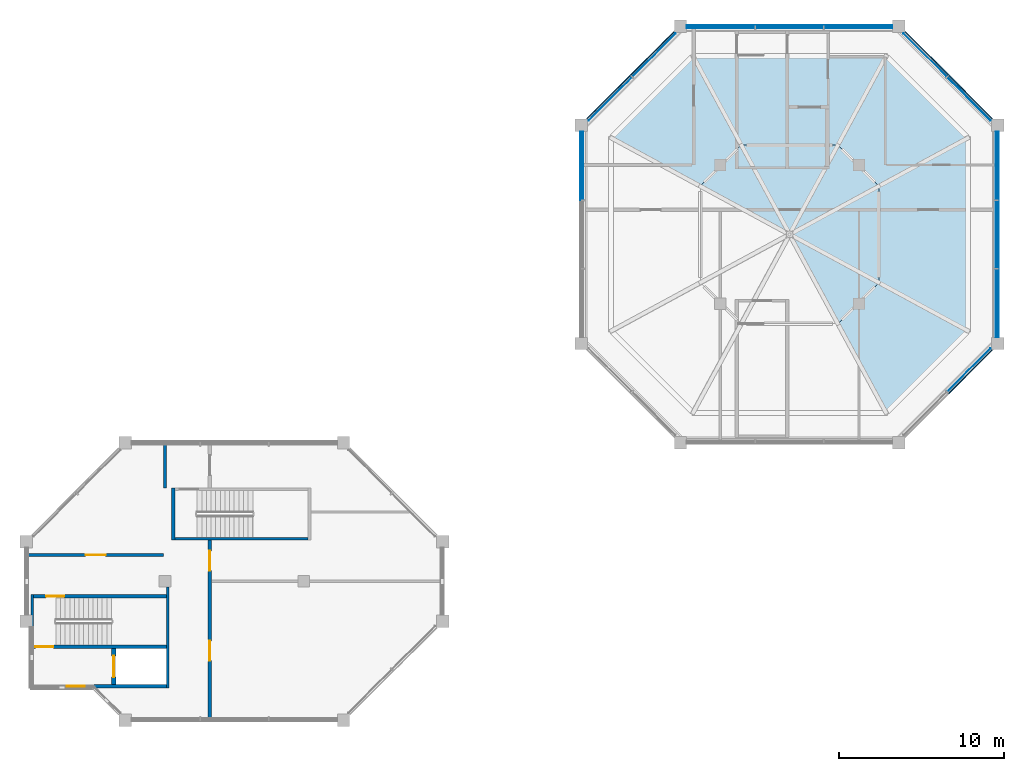
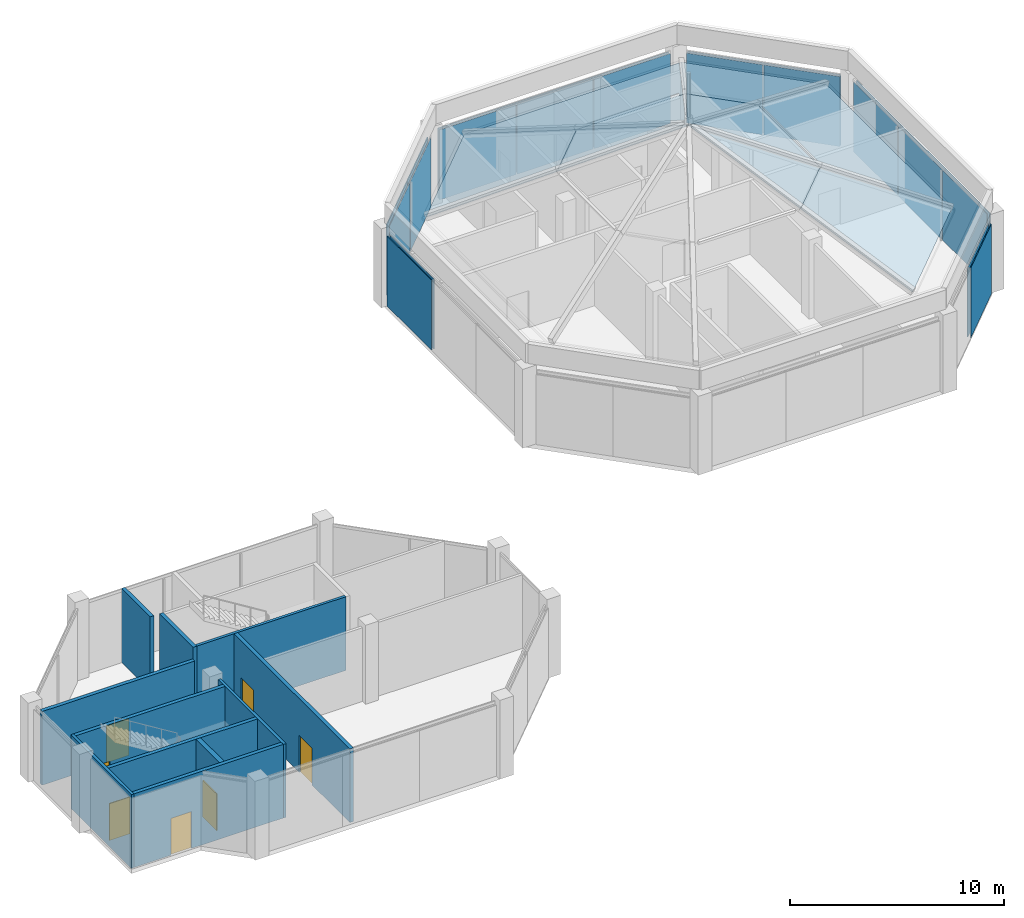
# One storey, part 5 of 9: 34 plates, 11 walls, 7 doors, 7 openings, 6 elements without a shape of their own.
"""IFC4 building model written with IfcOpenShell, lengths in metres."""

from ifc_helpers import new_model, si_unit, direction, frame, frame_2d, origin, origin_2d, place, context, subcontext, project, spatial, polyline, rectangle, outline, extrude, material, layer, layer_set, type_object, element, fill, aggregate, save


model = new_model("IFC4")

# Units and contexts
model_context = context("Model", 3, precision=1e-05, world=origin(), true_north=direction((0.0, 1.0)))
body_context = subcontext(model_context, "Body", "Model", "MODEL_VIEW")
ifc_project = project(units=[si_unit("LENGTHUNIT", "METRE"), si_unit("AREAUNIT", "SQUARE_METRE"), si_unit("VOLUMEUNIT", "CUBIC_METRE"), si_unit("PLANEANGLEUNIT", "RADIAN"), si_unit("MASSUNIT", "GRAM", prefix="KILO")], contexts=[model_context])

# Site, building, storey
site_placement = place(None, origin())
site = spatial("IfcSite", under=ifc_project, at=site_placement, CompositionType="ELEMENT")
building_placement = place(site_placement, origin())
building = spatial("IfcBuilding", under=site, at=building_placement, Name="Kawkab Arch Medical Tower", CompositionType="ELEMENT")
storey_placement = place(building_placement, frame((0.0, 0.0, 350.199951171875)))
storey = spatial("IfcBuildingStorey", under=building, at=storey_placement, Name="L81", CompositionType="ELEMENT", Elevation=350.199951171875)

# Curtain wall, plates
ifc_material_1 = material(Name="Bronze anodised aluminium curtain wall frame", Category="aluminium")
ifc_layer_1 = layer(ifc_material_1, 0.159912109375)
ifc_layer_set_1 = layer_set([ifc_layer_1], Name="Bronze anodised aluminium curtain wall frame")
curtain_wall_type = type_object("IfcCurtainWallType", Name="CW6 helipad lobby and crown glazing", PredefinedType="NOTDEFINED", material=ifc_layer_set_1)
placement = place(storey_placement, origin())
curtain_wall_1 = element("IfcCurtainWall", 1, at=placement, inside=storey, type_object=curtain_wall_type, Name="CW6 Helipad lobby and crown glazing R01", PredefinedType="NOTDEFINED")
ifc_material_2 = material(Name="Tinted laminated insulating glass, low iron", Category="glass")
ifc_layer_2 = layer(ifc_material_2, 0.0400390625)
ifc_layer_set_2 = layer_set([ifc_layer_2], Name="Tinted laminated insulating glass, low iron")
plate_type_1 = type_object("IfcPlateType", Name="CW6 glazing unit 40", PredefinedType="CURTAIN_PANEL", material=ifc_layer_set_2)
plate_1_placement = place(storey_placement, frame((57.05419921875, -4.3955078125, 0.0), z_axis=(0.0, 0.0, 1.0), x_axis=(-0.707106781187, 0.707106781187, 0.0)))
plate_1 = element("IfcPlate", 2, at=plate_1_placement, type_object=plate_type_1, Name="CW6 glazing unit 1.1", PredefinedType="CURTAIN_PANEL", context=body_context, shape_type="SweptSolid", body=[
    extrude(rectangle(XDim=3.67724609375, YDim=0.0400390625, at=origin_2d()), origin(), (0.0, 0.0, 1.0), 3.989990234375),
])
plate_2_placement = place(storey_placement, frame((54.404296875, -1.745849609375, 0.0), z_axis=(0.0, 0.0, 1.0), x_axis=(-0.707106781187, 0.707106781187, 0.0)))
plate_2 = element("IfcPlate", 3, at=plate_2_placement, type_object=plate_type_1, Name="CW6 glazing unit 1.2", PredefinedType="CURTAIN_PANEL", context=body_context, shape_type="SweptSolid", body=[
    extrude(rectangle(XDim=3.67724609375, YDim=0.0400390625, at=origin_2d()), origin(), (0.0, 0.0, 1.0), 3.989990234375),
])
aggregate(curtain_wall_1, [plate_1, plate_2])

curtain_wall_2 = element("IfcCurtainWall", 4, at=placement, inside=storey, type_object=curtain_wall_type, Name="CW6 Helipad lobby and crown glazing R02", PredefinedType="NOTDEFINED")
plate_3_placement = place(storey_placement, frame((50.367431640625, -0.10009765625, 0.0), z_axis=(0.0, 0.0, 1.0), x_axis=(-1.0, 0.0, 0.0)))
plate_3 = element("IfcPlate", 5, at=plate_3_placement, type_object=plate_type_1, Name="CW6 glazing unit 1.1", PredefinedType="CURTAIN_PANEL", context=body_context, shape_type="SweptSolid", body=[
    extrude(rectangle(XDim=4.114990234375, YDim=0.0400390625, at=origin_2d()), origin(), (0.0, 0.0, 1.0), 3.989990234375),
])
plate_4_placement = place(storey_placement, frame((46.199951171875, -0.10009765625, 0.0), z_axis=(0.0, 0.0, 1.0), x_axis=(-1.0, 0.0, 0.0)))
plate_4 = element("IfcPlate", 6, at=plate_4_placement, type_object=plate_type_1, Name="CW6 glazing unit 1.2", PredefinedType="CURTAIN_PANEL", context=body_context, shape_type="SweptSolid", body=[
    extrude(rectangle(XDim=4.080078125, YDim=0.0400390625, at=origin_2d()), origin(), (0.0, 0.0, 1.0), 3.989990234375),
])
plate_5_placement = place(storey_placement, frame((42.032470703125, -0.10009765625, 0.0), z_axis=(0.0, 0.0, 1.0), x_axis=(-1.0, 0.0, 0.0)))
plate_5 = element("IfcPlate", 7, at=plate_5_placement, type_object=plate_type_1, Name="CW6 glazing unit 1.3", PredefinedType="CURTAIN_PANEL", context=body_context, shape_type="SweptSolid", body=[
    extrude(rectangle(XDim=4.114990234375, YDim=0.0400390625, at=origin_2d()), origin(), (0.0, 0.0, 1.0), 3.989990234375),
])
aggregate(curtain_wall_2, [plate_3, plate_4, plate_5])

curtain_wall_3 = element("IfcCurtainWall", 8, at=placement, inside=storey, type_object=curtain_wall_type, Name="CW6 Helipad lobby and crown glazing R03", PredefinedType="NOTDEFINED")
plate_6_placement = place(storey_placement, frame((37.99560546875, -1.745849609375, 0.0), z_axis=(0.0, 0.0, 1.0), x_axis=(-0.707106781187, -0.707106781187, 0.0)))
plate_6 = element("IfcPlate", 9, at=plate_6_placement, type_object=plate_type_1, Name="CW6 glazing unit 1.1", PredefinedType="CURTAIN_PANEL", context=body_context, shape_type="SweptSolid", body=[
    extrude(rectangle(XDim=3.67724609375, YDim=0.0400390625, at=origin_2d()), origin(), (0.0, 0.0, 1.0), 3.989990234375),
])
plate_7_placement = place(storey_placement, frame((35.345703125, -4.3955078125, 0.0), z_axis=(0.0, 0.0, 1.0), x_axis=(-0.707106781187, -0.707106781187, 0.0)))
plate_7 = element("IfcPlate", 10, at=plate_7_placement, type_object=plate_type_1, Name="CW6 glazing unit 1.2", PredefinedType="CURTAIN_PANEL", context=body_context, shape_type="SweptSolid", body=[
    extrude(rectangle(XDim=3.67724609375, YDim=0.0400390625, at=origin_2d()), origin(), (0.0, 0.0, 1.0), 3.989990234375),
])
aggregate(curtain_wall_3, [plate_6, plate_7])

# Curtain wall, plate
curtain_wall_4 = element("IfcCurtainWall", 11, at=placement, inside=storey, type_object=curtain_wall_type, Name="CW6 Helipad lobby and crown glazing R04", PredefinedType="NOTDEFINED")
plate_8_placement = place(storey_placement, frame((33.699951171875, -8.4326171875, 0.0), z_axis=(0.0, 0.0, 1.0), x_axis=(0.0, -1.0, 0.0)))
plate_8 = element("IfcPlate", 12, at=plate_8_placement, type_object=plate_type_1, Name="CW6 glazing unit 1.1", PredefinedType="CURTAIN_PANEL", context=body_context, shape_type="SweptSolid", body=[
    extrude(rectangle(XDim=4.114990234375, YDim=0.0400390625, at=origin_2d()), origin(), (0.0, 0.0, 1.0), 3.989990234375),
])
aggregate(curtain_wall_4, [plate_8])

curtain_wall_5 = element("IfcCurtainWall", 13, at=placement, inside=storey, type_object=curtain_wall_type, Name="CW6 Helipad lobby and crown glazing R07", PredefinedType="NOTDEFINED")
plate_9_placement = place(storey_placement, frame((57.05419921875, -20.804443359375, 0.0), z_axis=(0.0, 0.0, 1.0), x_axis=(0.707106781187, 0.707106781187, 0.0)))
plate_9 = element("IfcPlate", 14, at=plate_9_placement, type_object=plate_type_1, Name="CW6 glazing unit 1.2", PredefinedType="CURTAIN_PANEL", context=body_context, shape_type="SweptSolid", body=[
    extrude(rectangle(XDim=3.67724609375, YDim=0.0400390625, at=origin_2d()), origin(), (0.0, 0.0, 1.0), 3.989990234375),
])
aggregate(curtain_wall_5, [plate_9])

# Curtain wall, plates
curtain_wall_6 = element("IfcCurtainWall", 15, at=placement, inside=storey, type_object=curtain_wall_type, Name="CW6 Helipad lobby and crown glazing R08", PredefinedType="NOTDEFINED")
plate_10_placement = place(storey_placement, frame((58.699951171875, -16.767578125, 0.0), z_axis=(0.0, 0.0, 1.0), x_axis=(0.0, 1.0, 0.0)))
plate_10 = element("IfcPlate", 16, at=plate_10_placement, type_object=plate_type_1, Name="CW6 glazing unit 1.1", PredefinedType="CURTAIN_PANEL", context=body_context, shape_type="SweptSolid", body=[
    extrude(rectangle(XDim=4.114990234375, YDim=0.0400390625, at=origin_2d()), origin(), (0.0, 0.0, 1.0), 3.989990234375),
])
plate_11_placement = place(storey_placement, frame((58.699951171875, -12.60009765625, 0.0), z_axis=(0.0, 0.0, 1.0), x_axis=(0.0, 1.0, 0.0)))
plate_11 = element("IfcPlate", 17, at=plate_11_placement, type_object=plate_type_1, Name="CW6 glazing unit 1.2", PredefinedType="CURTAIN_PANEL", context=body_context, shape_type="SweptSolid", body=[
    extrude(rectangle(XDim=4.080078125, YDim=0.0400390625, at=origin_2d()), origin(), (0.0, 0.0, 1.0), 3.989990234375),
])
plate_12_placement = place(storey_placement, frame((58.699951171875, -8.4326171875, 0.0), z_axis=(0.0, 0.0, 1.0), x_axis=(0.0, 1.0, 0.0)))
plate_12 = element("IfcPlate", 18, at=plate_12_placement, type_object=plate_type_1, Name="CW6 glazing unit 1.3", PredefinedType="CURTAIN_PANEL", context=body_context, shape_type="SweptSolid", body=[
    extrude(rectangle(XDim=4.114990234375, YDim=0.0400390625, at=origin_2d()), origin(), (0.0, 0.0, 1.0), 3.989990234375),
])
aggregate(curtain_wall_6, [plate_10, plate_11, plate_12])

# Plates
ifc_material_3 = material(Name="Laminated tinted glass", Category="glass")
ifc_layer_3 = layer(ifc_material_3, 0.031982421875)
ifc_layer_set_3 = layer_set([ifc_layer_3], Name="Laminated tinted glass")
plate_type_2 = type_object("IfcPlateType", Name="Crown glazing panel 32", PredefinedType="USERDEFINED", material=ifc_layer_set_3)
plate_13_placement = place(storey_placement, frame((52.054443359375, -23.39990234375, 4.650146484375), z_axis=(0.276346189666, -0.276346189666, 0.920470296595), x_axis=(0.707106781187, 0.707106781187, 0.0)))
element("IfcPlate", 19, at=plate_13_placement, inside=storey, type_object=plate_type_2, Name="Crown glazing, peak A face 2 row 1 bay 1", ObjectType="CROWN GLAZING", PredefinedType="USERDEFINED", context=body_context, shape_type="SweptSolid", body=[
    extrude(outline(polyline([(0.0, 0.0), (6.994073274656198, 0.0), (5.2456412727379, 6.3969289936718345), (1.7484320019182995, 6.396928993671834), (0.0, 0.0)])), origin(), (0.0, 0.0, -1.0), 0.031982421875),
])
plate_14_placement = place(storey_placement, frame((57.0, -18.454345703125, 4.650146484375), z_axis=(0.420129824888, 0.0, 0.907464010437), x_axis=(0.0, 1.0, 0.0)))
element("IfcPlate", 20, at=plate_14_placement, inside=storey, type_object=plate_type_2, Name="Crown glazing, peak A face 3 row 1 bay 1", ObjectType="CROWN GLAZING", PredefinedType="USERDEFINED", context=body_context, shape_type="SweptSolid", body=[
    extrude(outline(polyline([(0.0, 0.0), (11.708740234375, 0.0), (8.781494140625, 5.950541599051026), (2.92724609375, 5.950541599051026), (0.0, 0.0)])), origin(), (0.0, 0.0, -1.0), 0.031982421875),
])
plate_15_placement = place(storey_placement, frame((57.0, -6.74560546875, 4.650146484375), z_axis=(0.276346189666, 0.276346189666, 0.920470296595), x_axis=(-0.707106781187, 0.707106781187, 0.0)))
element("IfcPlate", 21, at=plate_15_placement, inside=storey, type_object=plate_type_2, Name="Crown glazing, peak A face 4 row 1 bay 1", ObjectType="CROWN GLAZING", PredefinedType="USERDEFINED", context=body_context, shape_type="SweptSolid", body=[
    extrude(outline(polyline([(0.0, 0.0), (6.994073274656198, 0.0), (5.2456412727379, 6.3969289936718345), (1.7484320019182995, 6.396928993671834), (0.0, 0.0)])), origin(), (0.0, 0.0, -1.0), 0.031982421875),
])
plate_16_placement = place(storey_placement, frame((52.054443359375, -1.800048828125, 4.650146484375), z_axis=(0.0, 0.420129824888, 0.907464010437), x_axis=(-1.0, 0.0, 0.0)))
element("IfcPlate", 22, at=plate_16_placement, inside=storey, type_object=plate_type_2, Name="Crown glazing, peak A face 5 row 1 bay 1", ObjectType="CROWN GLAZING", PredefinedType="USERDEFINED", context=body_context, shape_type="SweptSolid", body=[
    extrude(outline(polyline([(0.0, 0.0), (11.708740234375, 0.0), (8.78173828125, 5.950541599051026), (2.92724609375, 5.950541599051026), (0.0, 0.0)])), origin(), (0.0, 0.0, -1.0), 0.031982421875),
])
plate_17_placement = place(storey_placement, frame((40.345703125, -1.800048828125, 4.650146484375), z_axis=(-0.276346189666, 0.276346189666, 0.920470296595), x_axis=(-0.707121568298, -0.70709199371, -8.878966e-06)))
element("IfcPlate", 23, at=plate_17_placement, inside=storey, type_object=plate_type_2, Name="Crown glazing, peak A face 6 row 1 bay 1", ObjectType="CROWN GLAZING", PredefinedType="USERDEFINED", context=body_context, shape_type="SweptSolid", body=[
    extrude(outline(polyline([(0.0, 0.0), (6.994245909952788, -4.440892098500626e-16), (5.245495937973589, 6.397048169041187), (1.748459305158192, 6.396809815000615), (0.0, 0.0)])), origin(), (0.0, 0.0, -1.0), 0.031982421875),
])
plate_18_placement = place(storey_placement, frame((49.127197265625, -18.0, 7.150146484375), z_axis=(0.276346189666, -0.276346189666, 0.920470296595), x_axis=(0.707106781187, 0.707106781187, 0.0)))
element("IfcPlate", 24, at=plate_18_placement, inside=storey, type_object=plate_type_2, Name="Crown glazing, peak A face 2 row 2 bay 1", ObjectType="CROWN GLAZING", PredefinedType="USERDEFINED", context=body_context, shape_type="SweptSolid", body=[
    extrude(outline(polyline([(0.0, 0.0), (3.4972092708196, 0.0), (1.7484320019182995, 6.396928993671834), (0.0, 0.0)])), origin(), (0.0, 0.0, -1.0), 0.031982421875),
])
plate_19_placement = place(storey_placement, frame((51.60009765625, -15.527099609375, 7.150146484375), z_axis=(0.420114183257, 0.0, 0.907471251901), x_axis=(0.0, 1.0, 0.0)))
element("IfcPlate", 25, at=plate_19_placement, inside=storey, type_object=plate_type_2, Name="Crown glazing, peak A face 3 row 2 bay 1", ObjectType="CROWN GLAZING", PredefinedType="USERDEFINED", context=body_context, shape_type="SweptSolid", body=[
    extrude(outline(polyline([(0.0, 0.0), (5.854248046875, 0.0), (2.927001953125, 5.950763148765684), (0.0, 0.0)])), origin(), (0.0, 0.0, -1.0), 0.031982421875),
])
plate_20_placement = place(storey_placement, frame((51.60009765625, -9.6728515625, 7.150146484375), z_axis=(0.276339325197, 0.276339325197, 0.920474418275), x_axis=(-0.707106781187, 0.707106781187, 0.0)))
element("IfcPlate", 26, at=plate_20_placement, inside=storey, type_object=plate_type_2, Name="Crown glazing, peak A face 4 row 2 bay 1", ObjectType="CROWN GLAZING", PredefinedType="USERDEFINED", context=body_context, shape_type="SweptSolid", body=[
    extrude(outline(polyline([(0.0, 0.0), (3.4972092708196, 0.0), (1.7486046354098002, 6.397087898028733), (0.0, 0.0)])), origin(), (0.0, 0.0, -1.0), 0.031982421875),
])
plate_21_placement = place(storey_placement, frame((49.127197265625, -7.199951171875, 7.150146484375), z_axis=(0.0, 0.420114183257, 0.907471251901), x_axis=(-1.0, 0.0, 0.0)))
element("IfcPlate", 27, at=plate_21_placement, inside=storey, type_object=plate_type_2, Name="Crown glazing, peak A face 5 row 2 bay 1", ObjectType="CROWN GLAZING", PredefinedType="USERDEFINED", context=body_context, shape_type="SweptSolid", body=[
    extrude(outline(polyline([(0.0, 0.0), (5.8544921875, 0.0), (2.92724609375, 5.950763148765684), (0.0, 0.0)])), origin(), (0.0, 0.0, -1.0), 0.031982421875),
])
plate_22_placement = place(storey_placement, frame((43.272705078125, -7.199951171875, 7.150146484375), z_axis=(-0.276356399351, 0.276329115671, 0.920472357201), x_axis=(-0.707071873538, -0.707141687112, 0.0)))
element("IfcPlate", 28, at=plate_22_placement, inside=storey, type_object=plate_type_2, Name="Crown glazing, peak A face 6 row 2 bay 1", ObjectType="CROWN GLAZING", PredefinedType="USERDEFINED", context=body_context, shape_type="SweptSolid", body=[
    extrude(outline(polyline([(0.0, 0.0), (3.4970366415891814, 0.0), (1.7488953157965264, 6.397008435234963), (0.0, 0.0)])), origin(), (0.0, 0.0, -1.0), 0.031982421875),
])
ifc_material_4 = material(Name="Bronze anodised aluminium perforated screen", Category="aluminium")
ifc_layer_4 = layer(ifc_material_4, 0.050048828125)
ifc_layer_set_4 = layer_set([ifc_layer_4], Name="Bronze anodised aluminium perforated screen")
plate_type_3 = type_object("IfcPlateType", Name="Crown perforated star screen 50", PredefinedType="USERDEFINED", material=ifc_layer_set_4)
for number, where, z_axis, x_axis, name in (
    (29, (57.144287109375, -4.28076171875, 0.0), (0.0, 0.0, 1.0), (-0.707106781187, 0.707106781187, 0.0), "Crown screen L81 R01.1.1"),
    (30, (54.519287109375, -1.655517578125, 0.0), (0.0, 0.0, 1.0), (-0.707106781187, 0.707106781187, 0.0), "Crown screen L81 R01.1.2"),
):
    element("IfcPlate", number, at=place(storey_placement, frame(where, z_axis=z_axis, x_axis=x_axis)), inside=storey, type_object=plate_type_3, Name=name, ObjectType="SCREEN", PredefinedType="USERDEFINED", context=body_context, shape_type="SweptSolid", body=[
        extrude(rectangle(XDim=3.71240234375, YDim=0.050048828125, at=origin_2d()), origin(), (0.0, 0.0, 1.0), 3.989990234375),
    ])
for number, where, z_axis, x_axis, name in (
    (31, (50.35009765625, 0.044921875, 0.0), (0.0, 0.0, 1.0), (-1.0, 0.0, 0.0), "Crown screen L81 R02.1.1"),
    (32, (46.199951171875, 0.044921875, 0.0), (0.0, 0.0, 1.0), (-1.0, 0.0, 0.0), "Crown screen L81 R02.1.2"),
    (33, (42.050048828125, 0.044921875, 0.0), (0.0, 0.0, 1.0), (-1.0, 0.0, 0.0), "Crown screen L81 R02.1.3"),
):
    element("IfcPlate", number, at=place(storey_placement, frame(where, z_axis=z_axis, x_axis=x_axis)), inside=storey, type_object=plate_type_3, Name=name, ObjectType="SCREEN", PredefinedType="USERDEFINED", context=body_context, shape_type="SweptSolid", body=[
        extrude(rectangle(XDim=4.14990234375, YDim=0.050048828125, at=origin_2d()), origin(), (0.0, 0.0, 1.0), 3.989990234375),
    ])
for number, where, z_axis, x_axis, name in (
    (34, (37.880615234375, -1.65576171875, 0.0), (0.0, 0.0, 1.0), (-0.707106781187, -0.707106781187, 0.0), "Crown screen L81 R03.1.1"),
    (35, (35.255615234375, -4.28076171875, 0.0), (0.0, 0.0, 1.0), (-0.707106781187, -0.707106781187, 0.0), "Crown screen L81 R03.1.2"),
):
    element("IfcPlate", number, at=place(storey_placement, frame(where, z_axis=z_axis, x_axis=x_axis)), inside=storey, type_object=plate_type_3, Name=name, ObjectType="SCREEN", PredefinedType="USERDEFINED", context=body_context, shape_type="SweptSolid", body=[
        extrude(rectangle(XDim=3.71240234375, YDim=0.050048828125, at=origin_2d()), origin(), (0.0, 0.0, 1.0), 3.989990234375),
    ])
plate_23_placement = place(storey_placement, frame((33.554931640625, -8.449951171875, 0.0), z_axis=(0.0, 0.0, 1.0), x_axis=(0.0, -1.0, 0.0)))
element("IfcPlate", 36, at=plate_23_placement, inside=storey, type_object=plate_type_3, Name="Crown screen L81 R04.1.1", ObjectType="SCREEN", PredefinedType="USERDEFINED", context=body_context, shape_type="SweptSolid", body=[
    extrude(rectangle(XDim=4.14990234375, YDim=0.050048828125, at=origin_2d()), origin(), (0.0, 0.0, 1.0), 3.989990234375),
])
plate_24_placement = place(storey_placement, frame((57.144287109375, -20.919189453125, 0.0), z_axis=(0.0, 0.0, 1.0), x_axis=(0.707106781187, 0.707106781187, 0.0)))
element("IfcPlate", 37, at=plate_24_placement, inside=storey, type_object=plate_type_3, Name="Crown screen L81 R07.1.2", ObjectType="SCREEN", PredefinedType="USERDEFINED", context=body_context, shape_type="SweptSolid", body=[
    extrude(rectangle(XDim=3.71240234375, YDim=0.050048828125, at=origin_2d()), origin(), (0.0, 0.0, 1.0), 3.989990234375),
])
for number, where, z_axis, x_axis, name in (
    (38, (58.844970703125, -16.75, 0.0), (0.0, 0.0, 1.0), (0.0, 1.0, 0.0), "Crown screen L81 R08.1.1"),
    (39, (58.844970703125, -12.60009765625, 0.0), (0.0, 0.0, 1.0), (0.0, 1.0, 0.0), "Crown screen L81 R08.1.2"),
    (40, (58.844970703125, -8.449951171875, 0.0), (0.0, 0.0, 1.0), (0.0, 1.0, 0.0), "Crown screen L81 R08.1.3"),
):
    element("IfcPlate", number, at=place(storey_placement, frame(where, z_axis=z_axis, x_axis=x_axis)), inside=storey, type_object=plate_type_3, Name=name, ObjectType="SCREEN", PredefinedType="USERDEFINED", context=body_context, shape_type="SweptSolid", body=[
        extrude(rectangle(XDim=4.14990234375, YDim=0.050048828125, at=origin_2d()), origin(), (0.0, 0.0, 1.0), 3.989990234375),
    ])

# Wall, opening, door
ifc_material_5 = material(Name="Concrete C60/75", Category="concrete")
ifc_layer_5 = layer(ifc_material_5, 0.25)
ifc_layer_set_5 = layer_set([ifc_layer_5], Name="Concrete C60/75")
wall_type_1 = type_object("IfcWallType", Name="Core shear wall 250 C60/75", PredefinedType="SHEAR", material=ifc_layer_set_5)
wall_1_placement = place(storey_placement, frame((5.300048828125, -39.85009765625, 0.0), z_axis=(0.0, 0.0, 1.0), x_axis=(0.0, 1.0, 0.0)))
wall_1 = element("IfcWall", 41, at=wall_1_placement, inside=storey, type_object=wall_type_1, Name="L81 core shear wall", PredefinedType="SHEAR", context=body_context, shape_type="SweptSolid", body=[
    extrude(rectangle(XDim=2.2001953125, YDim=0.25, at=frame_2d((1.10009765625, 0.0))), origin(), (0.0, 0.0, 1.0), 4.199951171875),
])
opening_1_placement = place(wall_1_placement, frame((0.449951171875, 0.0, 0.0)))
opening_1 = element("IfcOpeningElement", 42, at=opening_1_placement, cuts=wall_1, Name="Opening LD2", PredefinedType="OPENING", context=body_context, shape_type="SweptSolid", body=[
    extrude(rectangle(XDim=1.300048828125, YDim=2.10009765625, at=frame_2d((0.64990234375, 1.050048828125))), frame((0.0, 0.135009765625, 0.0), z_axis=(0.0, -1.0, 0.0), x_axis=(1.0, 0.0, 0.0)), (0.0, 0.0, 1.0), 0.27001953125),
])
ifc_material_6 = material(Name="Stainless steel lift door leaf", Category="steel")
door_type_1 = type_object("IfcDoorType", Name="Lift landing door 1300", OperationType="DOUBLE_DOOR_SLIDING", PredefinedType="DOOR", material=ifc_material_6)
door_1_placement = place(opening_1_placement, origin())
door_1 = element("IfcDoor", 43, at=door_1_placement, inside=storey, type_object=door_type_1, Name="L81 Lift landing door SV2", OperationType="DOUBLE_DOOR_SLIDING", OverallHeight=2.10009765625, OverallWidth=1.300048828125, PredefinedType="DOOR", context=body_context, shape_type="SweptSolid", body=[
    extrude(rectangle(XDim=1.300048828125, YDim=2.10009765625, at=frame_2d((0.64990234375, 1.050048828125))), frame((0.0, 0.02490234375, 0.0), z_axis=(0.0, -1.0, 0.0), x_axis=(1.0, 0.0, 0.0)), (0.0, 0.0, 1.0), 0.050048828125),
])
fill(opening_1, door_1)

ifc_material_7 = material(Name="Fire-rated gypsum board partition on steel studs", Category="steel")
ifc_layer_6 = layer(ifc_material_7, 0.199951171875)
ifc_layer_set_6 = layer_set([ifc_layer_6], Name="Fire-rated gypsum board partition on steel studs")
wall_type_2 = type_object("IfcWallType", Name="Protected partition 200", PredefinedType="PARTITIONING", material=ifc_layer_set_6)
wall_2_placement = place(storey_placement, frame((0.080078125, -32.007080078125, 0.0), z_axis=(0.0, 0.0, 1.0), x_axis=(1.0, 0.0, 0.0)))
wall_2 = element("IfcWall", 44, at=wall_2_placement, inside=storey, type_object=wall_type_2, Name="Protected partition 200 w008", PredefinedType="PARTITIONING", context=body_context, shape_type="SweptSolid", body=[
    extrude(rectangle(XDim=8.219970703125, YDim=0.199951171875, at=frame_2d((4.10986328125, 0.0))), origin(), (0.0, 0.0, 1.0), 4.199951171875),
])
opening_2_placement = place(wall_2_placement, frame((3.52001953125, 0.0, 0.0)))
opening_2 = element("IfcOpeningElement", 45, at=opening_2_placement, cuts=wall_2, Name="Opening C81-009", PredefinedType="OPENING", context=body_context, shape_type="SweptSolid", body=[
    extrude(rectangle(XDim=1.199951171875, YDim=2.10009765625, at=frame_2d((0.60009765625, 1.050048828125))), frame((0.0, 0.10986328125, 0.0), z_axis=(0.0, -1.0, 0.0), x_axis=(1.0, 0.0, 0.0)), (0.0, 0.0, 1.0), 0.219970703125),
])
ifc_material_8 = material(Name="Hollow metal door leaf")
door_type_2 = type_object("IfcDoorType", Name="Single door 1200x2100 FD60", OperationType="NOTDEFINED", PredefinedType="DOOR", material=ifc_material_8)
door_2_placement = place(opening_2_placement, origin())
door_2 = element("IfcDoor", 46, at=door_2_placement, inside=storey, type_object=door_type_2, Name="Door C81-009", OperationType="SINGLE_SWING_LEFT", OverallHeight=2.10009765625, OverallWidth=1.199951171875, PredefinedType="DOOR", context=body_context, shape_type="SweptSolid", body=[
    extrude(rectangle(XDim=1.199951171875, YDim=2.10009765625, at=frame_2d((0.60009765625, 1.050048828125))), frame((0.0, 0.02490234375, 0.0), z_axis=(0.0, -1.0, 0.0), x_axis=(1.0, 0.0, 0.0)), (0.0, 0.0, 1.0), 0.050048828125),
])
fill(opening_2, door_2)

# Wall
wall_3_placement = place(storey_placement, frame((8.39990234375, -27.949951171875, 0.0), z_axis=(0.0, 0.0, 1.0), x_axis=(0.0, 1.0, 0.0)))
element("IfcWall", 47, at=wall_3_placement, inside=storey, type_object=wall_type_2, Name="Protected partition 200 w011", PredefinedType="PARTITIONING", context=body_context, shape_type="SweptSolid", body=[
    extrude(rectangle(XDim=2.669921875, YDim=0.199951171875, at=frame_2d((1.3349609375, 0.0))), origin(), (0.0, 0.0, 1.0), 4.199951171875),
])

# Wall, openings, doors
wall_4_placement = place(storey_placement, frame((11.10009765625, -41.919921875, 0.0), z_axis=(0.0, 0.0, 1.0), x_axis=(0.0, 1.0, 0.0)))
wall_4 = element("IfcWall", 48, at=wall_4_placement, inside=storey, type_object=wall_type_2, Name="Protected partition 200 w012", PredefinedType="PARTITIONING", context=body_context, shape_type="SweptSolid", body=[
    extrude(rectangle(XDim=10.81982421875, YDim=0.199951171875, at=frame_2d((5.409912109375, 0.0))), origin(), (0.0, 0.0, 1.0), 4.199951171875),
])
opening_3_placement = place(wall_4_placement, frame((8.969970703125, 0.0, 0.0)))
opening_3 = element("IfcOpeningElement", 49, at=opening_3_placement, cuts=wall_4, Name="Opening C81-007", PredefinedType="OPENING", context=body_context, shape_type="SweptSolid", body=[
    extrude(rectangle(XDim=1.199951171875, YDim=2.10009765625, at=frame_2d((0.60009765625, 1.050048828125))), frame((0.0, 0.10986328125, 0.0), z_axis=(0.0, -1.0, 0.0), x_axis=(1.0, 0.0, 0.0)), (0.0, 0.0, 1.0), 0.219970703125),
])
opening_4_placement = place(wall_4_placement, frame((3.52001953125, 0.0, 0.0)))
opening_4 = element("IfcOpeningElement", 50, at=opening_4_placement, cuts=wall_4, Name="Opening C81-008", PredefinedType="OPENING", context=body_context, shape_type="SweptSolid", body=[
    extrude(rectangle(XDim=1.199951171875, YDim=2.10009765625, at=frame_2d((0.60009765625, 1.050048828125))), frame((0.0, 0.10986328125, 0.0), z_axis=(0.0, -1.0, 0.0), x_axis=(1.0, 0.0, 0.0)), (0.0, 0.0, 1.0), 0.219970703125),
])
door_3_placement = place(opening_3_placement, origin())
door_3 = element("IfcDoor", 51, at=door_3_placement, inside=storey, type_object=door_type_2, Name="Door C81-007", OperationType="SINGLE_SWING_LEFT", OverallHeight=2.10009765625, OverallWidth=1.199951171875, PredefinedType="DOOR", context=body_context, shape_type="SweptSolid", body=[
    extrude(rectangle(XDim=1.199951171875, YDim=2.10009765625, at=frame_2d((0.60009765625, 1.050048828125))), frame((0.0, 0.02490234375, 0.0), z_axis=(0.0, -1.0, 0.0), x_axis=(1.0, 0.0, 0.0)), (0.0, 0.0, 1.0), 0.050048828125),
])
fill(opening_3, door_3)
door_4_placement = place(opening_4_placement, origin())
door_4 = element("IfcDoor", 52, at=door_4_placement, inside=storey, type_object=door_type_2, Name="Door C81-008", OperationType="SINGLE_SWING_RIGHT", OverallHeight=2.10009765625, OverallWidth=1.199951171875, PredefinedType="DOOR", context=body_context, shape_type="SweptSolid", body=[
    extrude(rectangle(XDim=1.199951171875, YDim=2.10009765625, at=frame_2d((0.60009765625, 1.050048828125))), frame((0.0, 0.02490234375, 0.0), z_axis=(0.0, -1.0, 0.0), x_axis=(1.0, 0.0, 0.0)), (0.0, 0.0, 1.0), 0.050048828125),
])
fill(opening_4, door_4)

# Walls
ifc_material_9 = material(Name="Concrete C50/60", Category="concrete")
ifc_layer_7 = layer(ifc_material_9, 0.14990234375)
ifc_layer_set_7 = layer_set([ifc_layer_7], Name="Concrete C50/60")
wall_type_3 = type_object("IfcWallType", Name="Stair enclosure wall 150 C50/60", PredefinedType="SHEAR", material=ifc_layer_set_7)
wall_5_placement = place(storey_placement, frame((0.375, -40.050048828125, 0.0), z_axis=(0.0, 0.0, 1.0), x_axis=(0.0, 1.0, 0.0)))
element("IfcWall", 53, at=wall_5_placement, inside=storey, type_object=wall_type_3, Name="L81 stair enclosure wall", PredefinedType="SHEAR", context=body_context, shape_type="SweptSolid", body=[
    extrude(rectangle(XDim=5.650146484375, YDim=0.14990234375, at=frame_2d((2.8251953125, 0.0))), origin(), (0.0, 0.0, 1.0), 4.199951171875),
])
wall_6_placement = place(storey_placement, frame((8.574951171875, -40.050048828125, 0.0), z_axis=(0.0, 0.0, 1.0), x_axis=(0.0, 1.0, 0.0)))
element("IfcWall", 54, at=wall_6_placement, inside=storey, type_object=wall_type_3, Name="L81 stair enclosure wall", PredefinedType="SHEAR", context=body_context, shape_type="SweptSolid", body=[
    extrude(rectangle(XDim=6.10009765625, YDim=0.14990234375, at=frame_2d((3.050048828125, 0.0))), origin(), (0.0, 0.0, 1.0), 4.199951171875),
])
wall_7_placement = place(storey_placement, frame((9.0, -31.02490234375, 0.0), z_axis=(0.0, 0.0, 1.0), x_axis=(1.0, 0.0, 0.0)))
element("IfcWall", 55, at=wall_7_placement, inside=storey, type_object=wall_type_3, Name="L81 stair enclosure wall", PredefinedType="SHEAR", context=body_context, shape_type="SweptSolid", body=[
    extrude(rectangle(XDim=8.050048828125, YDim=0.14990234375, at=frame_2d((4.02490234375, 0.0))), origin(), (0.0, 0.0, 1.0), 4.199951171875),
])

# Wall, opening, door
ifc_material_10 = material(Name="Concrete C50/60", Category="concrete")
ifc_layer_8 = layer(ifc_material_10, 0.199951171875)
ifc_layer_set_8 = layer_set([ifc_layer_8], Name="Concrete C50/60")
wall_type_4 = type_object("IfcWallType", Name="Stair enclosure wall 200 C50/60", PredefinedType="SHEAR", material=ifc_layer_set_8)
wall_8_placement = place(storey_placement, frame((0.449951171875, -34.5, 0.0), z_axis=(0.0, 0.0, 1.0), x_axis=(1.0, 0.0, 0.0)))
wall_8 = element("IfcWall", 56, at=wall_8_placement, inside=storey, type_object=wall_type_4, Name="L81 stair enclosure wall", PredefinedType="SHEAR", context=body_context, shape_type="SweptSolid", body=[
    extrude(rectangle(XDim=8.050048828125, YDim=0.199951171875, at=frame_2d((4.02490234375, 0.0))), origin(), (0.0, 0.0, 1.0), 4.199951171875),
])
opening_5_placement = place(wall_8_placement, frame((0.75, 0.0, 0.0)))
opening_5 = element("IfcOpeningElement", 57, at=opening_5_placement, cuts=wall_8, Name="Opening SD", PredefinedType="OPENING", context=body_context, shape_type="SweptSolid", body=[
    extrude(rectangle(XDim=1.10009765625, YDim=2.10009765625, at=frame_2d((0.550048828125, 1.050048828125))), frame((0.0, 0.10986328125, 0.0), z_axis=(0.0, -1.0, 0.0), x_axis=(1.0, 0.0, 0.0)), (0.0, 0.0, 1.0), 0.219970703125),
])
ifc_material_11 = material(Name="Hollow metal fire door leaf")
door_type_3 = type_object("IfcDoorType", Name="Exit stair door 1100", OperationType="SINGLE_SWING_LEFT", PredefinedType="DOOR", material=ifc_material_11)
door_5_placement = place(opening_5_placement, origin())
door_5 = element("IfcDoor", 58, at=door_5_placement, inside=storey, type_object=door_type_3, Name="L81 Exit stair ST6 door", OperationType="SINGLE_SWING_LEFT", OverallHeight=2.10009765625, OverallWidth=1.10009765625, PredefinedType="DOOR", context=body_context, shape_type="SweptSolid", body=[
    extrude(rectangle(XDim=1.10009765625, YDim=2.10009765625, at=frame_2d((0.550048828125, 1.050048828125))), frame((0.0, 0.02490234375, 0.0), z_axis=(0.0, -1.0, 0.0), x_axis=(1.0, 0.0, 0.0)), (0.0, 0.0, 1.0), 0.050048828125),
])
fill(opening_5, door_5)

wall_9_placement = place(storey_placement, frame((0.449951171875, -37.550048828125, 0.0), z_axis=(0.0, 0.0, 1.0), x_axis=(1.0, 0.0, 0.0)))
wall_9 = element("IfcWall", 59, at=wall_9_placement, inside=storey, type_object=wall_type_4, Name="L81 stair enclosure wall", PredefinedType="SHEAR", context=body_context, shape_type="SweptSolid", body=[
    extrude(rectangle(XDim=8.050048828125, YDim=0.199951171875, at=frame_2d((4.02490234375, 0.0))), origin(), (0.0, 0.0, 1.0), 4.199951171875),
])
opening_6_placement = place(wall_9_placement, frame((0.10009765625, 0.0, 0.0)))
opening_6 = element("IfcOpeningElement", 60, at=opening_6_placement, cuts=wall_9, Name="Opening SD", PredefinedType="OPENING", context=body_context, shape_type="SweptSolid", body=[
    extrude(rectangle(XDim=1.10009765625, YDim=2.10009765625, at=frame_2d((0.550048828125, 1.050048828125))), frame((0.0, 0.10986328125, 0.0), z_axis=(0.0, -1.0, 0.0), x_axis=(1.0, 0.0, 0.0)), (0.0, 0.0, 1.0), 0.219970703125),
])
door_6_placement = place(opening_6_placement, frame((1.10009765625, 0.0, 0.0), z_axis=(0.0, 0.0, 1.0), x_axis=(-1.0, 0.0, 0.0)))
door_6 = element("IfcDoor", 61, at=door_6_placement, inside=storey, type_object=door_type_3, Name="L81 Exit stair ST6 lobby door", OperationType="SINGLE_SWING_LEFT", OverallHeight=2.10009765625, OverallWidth=1.10009765625, PredefinedType="DOOR", context=body_context, shape_type="SweptSolid", body=[
    extrude(rectangle(XDim=1.10009765625, YDim=2.10009765625, at=frame_2d((0.550048828125, 1.050048828125))), frame((0.0, 0.02490234375, 0.0), z_axis=(0.0, -1.0, 0.0), x_axis=(1.0, 0.0, 0.0)), (0.0, 0.0, 1.0), 0.050048828125),
])
fill(opening_6, door_6)

wall_10_placement = place(storey_placement, frame((0.449951171875, -39.949951171875, 0.0), z_axis=(0.0, 0.0, 1.0), x_axis=(1.0, 0.0, 0.0)))
wall_10 = element("IfcWall", 62, at=wall_10_placement, inside=storey, type_object=wall_type_4, Name="L81 stair enclosure wall", PredefinedType="SHEAR", context=body_context, shape_type="SweptSolid", body=[
    extrude(rectangle(XDim=8.050048828125, YDim=0.199951171875, at=frame_2d((4.02490234375, 0.0))), origin(), (0.0, 0.0, 1.0), 4.199951171875),
])
opening_7_placement = place(wall_10_placement, frame((2.0, 0.0, 0.0)))
opening_7 = element("IfcOpeningElement", 63, at=opening_7_placement, cuts=wall_10, Name="Opening FD", PredefinedType="OPENING", context=body_context, shape_type="SweptSolid", body=[
    extrude(rectangle(XDim=1.10009765625, YDim=2.10009765625, at=frame_2d((0.550048828125, 1.050048828125))), frame((0.0, 0.10986328125, 0.0), z_axis=(0.0, -1.0, 0.0), x_axis=(1.0, 0.0, 0.0)), (0.0, 0.0, 1.0), 0.219970703125),
])
ifc_material_12 = material(Name="Hollow metal fire door leaf")
door_type_4 = type_object("IfcDoorType", Name="Firefighting lobby door 1100", OperationType="SINGLE_SWING_LEFT", PredefinedType="DOOR", material=ifc_material_12)
door_7_placement = place(opening_7_placement, origin())
door_7 = element("IfcDoor", 64, at=door_7_placement, inside=storey, type_object=door_type_4, Name="L81 Service lift lobby door SV2", OperationType="SINGLE_SWING_LEFT", OverallHeight=2.10009765625, OverallWidth=1.10009765625, PredefinedType="DOOR", context=body_context, shape_type="SweptSolid", body=[
    extrude(rectangle(XDim=1.10009765625, YDim=2.10009765625, at=frame_2d((0.550048828125, 1.050048828125))), frame((0.0, 0.02490234375, 0.0), z_axis=(0.0, -1.0, 0.0), x_axis=(1.0, 0.0, 0.0)), (0.0, 0.0, 1.0), 0.050048828125),
])
fill(opening_7, door_7)

# Wall
wall_11_placement = place(storey_placement, frame((8.89990234375, -31.10009765625, 0.0), z_axis=(0.0, 0.0, 1.0), x_axis=(0.0, 1.0, 0.0)))
element("IfcWall", 65, at=wall_11_placement, inside=storey, type_object=wall_type_4, Name="L81 stair enclosure wall", PredefinedType="SHEAR", context=body_context, shape_type="SweptSolid", body=[
    extrude(rectangle(XDim=3.150146484375, YDim=0.199951171875, at=frame_2d((1.5751953125, 0.0))), origin(), (0.0, 0.0, 1.0), 4.199951171875),
])

save(model, "model.ifc")
